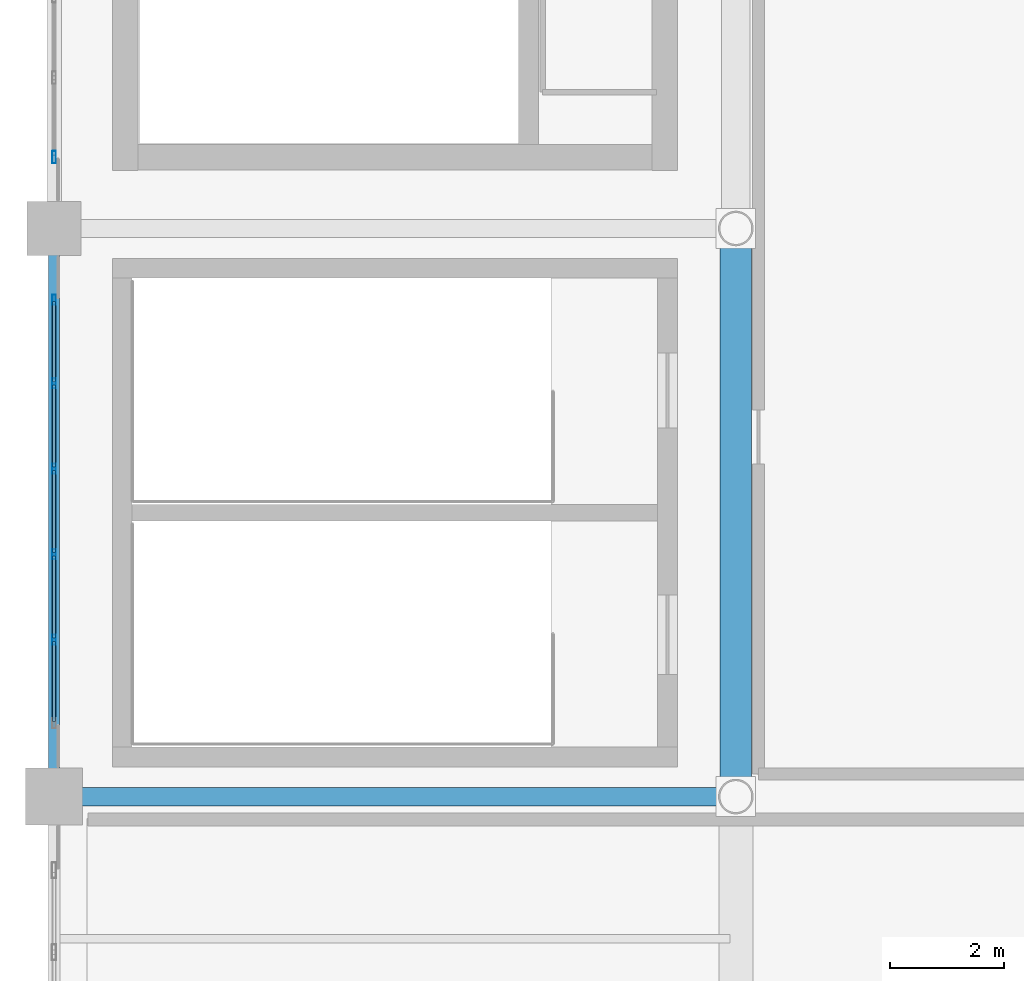
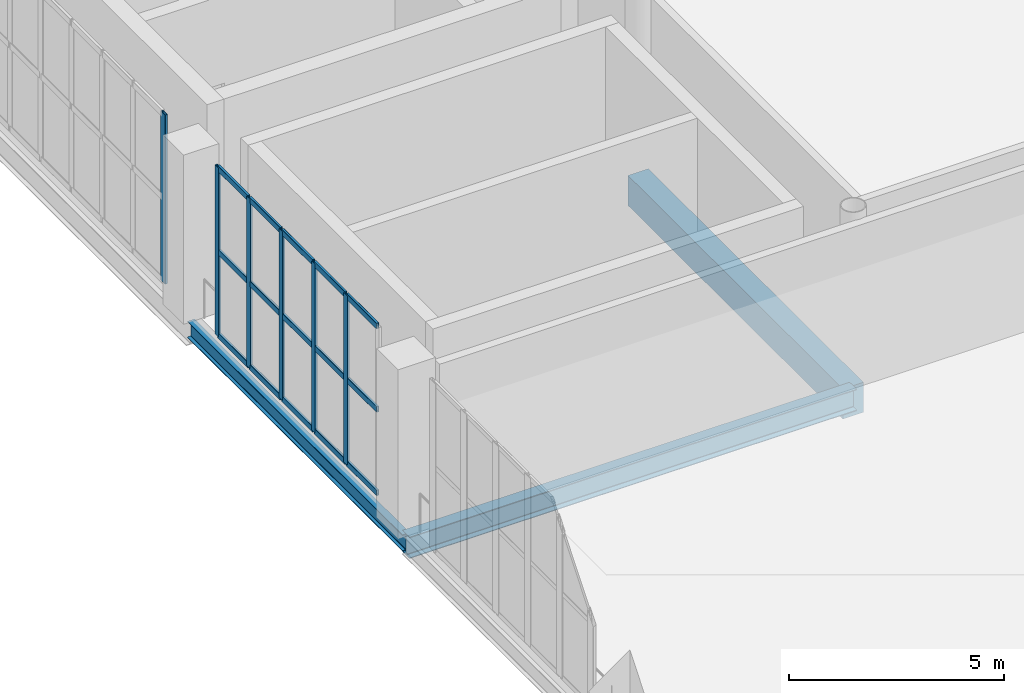
# One storey, part 20 of 49: 21 members, 3 beams, 2 elements without a shape of their own.
"""IFC4 building model written with IfcOpenShell, lengths in metres."""

from ifc_helpers import new_model, si_unit, direction, frame, origin, origin_2d, place, context, subcontext, project, spatial, rectangle, hollow_rectangle, i_section, extrude, material, layer, layer_set, material_profile, profile_set, type_object, element, aggregate, save


model = new_model("IFC4")

# Units and contexts
model_context = context("Model", 3, precision=1e-05, world=origin(), true_north=direction((0.0, 1.0)))
body_context = subcontext(model_context, "Body", "Model", "MODEL_VIEW")
ifc_project = project(units=[si_unit("LENGTHUNIT", "METRE"), si_unit("AREAUNIT", "SQUARE_METRE"), si_unit("VOLUMEUNIT", "CUBIC_METRE"), si_unit("PLANEANGLEUNIT", "RADIAN"), si_unit("MASSUNIT", "GRAM", prefix="KILO")], contexts=[model_context])

# Site, building, storey
site_placement = place(None, origin())
site = spatial("IfcSite", under=ifc_project, at=site_placement, CompositionType="ELEMENT")
building_placement = place(site_placement, origin())
building = spatial("IfcBuilding", under=site, at=building_placement, Name="Brinegate Civic Arena", CompositionType="ELEMENT")
storey_placement = place(building_placement, frame((0.0, 0.0, 24.60009765625)))
storey = spatial("IfcBuildingStorey", under=building, at=storey_placement, Name="L05", CompositionType="ELEMENT", Elevation=24.60009765625)

# Curtain wall, members
ifc_material_1 = material(Name="Marine grade aluminium", Category="aluminium")
ifc_layer = layer(ifc_material_1, 0.199951171875, Name="Marine grade aluminium")
ifc_layer_set = layer_set([ifc_layer], Name="Marine grade aluminium")
curtain_wall_type = type_object("IfcCurtainWallType", Name="CW-BOWL-GLAZED-01", PredefinedType="USERDEFINED", material=ifc_layer_set)
curtain_wall_1_placement = place(storey_placement, origin())
curtain_wall_1 = element("IfcCurtainWall", 1, at=curtain_wall_1_placement, inside=storey, type_object=curtain_wall_type, Name="Curtain Wall CWA-160", ObjectType="GLAZED CURTAIN WALL", PredefinedType="USERDEFINED")
ifc_material_profile_1 = material_profile(ifc_material_1, hollow_rectangle(XDim=0.06494140625, YDim=0.179931640625, WallThickness=0.0048828125, InnerFilletRadius=0.00390625, OuterFilletRadius=0.008056640625, at=origin_2d()), Name="MUL65X180")
ifc_profile_set_1 = profile_set([ifc_material_profile_1], Name="Marine grade aluminium")
member_type_1 = type_object("IfcMemberType", Name="CW-MULLION-65X180", PredefinedType="MULLION", material=ifc_profile_set_1)
member_1_placement = place(storey_placement, frame((48.0, 74.76123046875, 0.0), z_axis=(0.0, 0.0, 1.0), x_axis=(-1.0, 0.0, 0.0)))
member_1 = element("IfcMember", 2, at=member_1_placement, type_object=member_type_1, Name="CWA-160 mullion 2", PredefinedType="MULLION", context=body_context, shape_type="SweptSolid", body=[
    extrude(hollow_rectangle(XDim=0.06494140625, YDim=0.179931640625, WallThickness=0.0048828125, InnerFilletRadius=0.00390625, OuterFilletRadius=0.008056640625, at=origin_2d()), origin(), (0.0, 0.0, 1.0), 4.7998046875),
])
member_2_placement = place(storey_placement, frame((48.0, 76.265380859375, 0.0), z_axis=(0.0, 0.0, 1.0), x_axis=(-1.0, 0.0, 0.0)))
member_2 = element("IfcMember", 3, at=member_2_placement, type_object=member_type_1, Name="CWA-160 mullion 3", PredefinedType="MULLION", context=body_context, shape_type="SweptSolid", body=[
    extrude(hollow_rectangle(XDim=0.06494140625, YDim=0.179931640625, WallThickness=0.0048828125, InnerFilletRadius=0.00390625, OuterFilletRadius=0.008056640625, at=origin_2d()), origin(), (0.0, 0.0, 1.0), 4.7998046875),
])
member_3_placement = place(storey_placement, frame((48.0, 77.76953125, 0.0), z_axis=(0.0, 0.0, 1.0), x_axis=(-1.0, 0.0, 0.0)))
member_3 = element("IfcMember", 4, at=member_3_placement, type_object=member_type_1, Name="CWA-160 mullion 4", PredefinedType="MULLION", context=body_context, shape_type="SweptSolid", body=[
    extrude(hollow_rectangle(XDim=0.06494140625, YDim=0.179931640625, WallThickness=0.0048828125, InnerFilletRadius=0.00390625, OuterFilletRadius=0.008056640625, at=origin_2d()), origin(), (0.0, 0.0, 1.0), 4.7998046875),
])
member_4_placement = place(storey_placement, frame((48.0, 79.273681640625, 0.0), z_axis=(0.0, 0.0, 1.0), x_axis=(-1.0, 0.0, 0.0)))
member_4 = element("IfcMember", 5, at=member_4_placement, type_object=member_type_1, Name="CWA-160 mullion 5", PredefinedType="MULLION", context=body_context, shape_type="SweptSolid", body=[
    extrude(hollow_rectangle(XDim=0.06494140625, YDim=0.179931640625, WallThickness=0.0048828125, InnerFilletRadius=0.00390625, OuterFilletRadius=0.008056640625, at=origin_2d()), origin(), (0.0, 0.0, 1.0), 4.7998046875),
])
member_5_placement = place(storey_placement, frame((48.0, 80.74560546875, 0.0), z_axis=(0.0, 0.0, 1.0), x_axis=(-1.0, 0.0, 0.0)))
member_5 = element("IfcMember", 6, at=member_5_placement, type_object=member_type_1, Name="CWA-160 mullion 6", PredefinedType="MULLION", context=body_context, shape_type="SweptSolid", body=[
    extrude(hollow_rectangle(XDim=0.06494140625, YDim=0.179931640625, WallThickness=0.0048828125, InnerFilletRadius=0.00390625, OuterFilletRadius=0.008056640625, at=origin_2d()), origin(), (0.0, 0.0, 1.0), 4.7998046875),
])

# Curtain wall, member
curtain_wall_2_placement = place(storey_placement, origin())
curtain_wall_2 = element("IfcCurtainWall", 7, at=curtain_wall_2_placement, inside=storey, type_object=curtain_wall_type, Name="Curtain Wall CWA-161", ObjectType="GLAZED CURTAIN WALL", PredefinedType="USERDEFINED")
ifc_material_profile_2 = material_profile(ifc_material_1, hollow_rectangle(XDim=0.06494140625, YDim=0.219970703125, WallThickness=0.006103515625, InnerFilletRadius=0.00390625, OuterFilletRadius=0.008056640625, at=origin_2d()), Name="MUL65X220")
ifc_profile_set_2 = profile_set([ifc_material_profile_2], Name="Marine grade aluminium")
member_type_2 = type_object("IfcMemberType", Name="CW-MULLION-65X220", PredefinedType="MULLION", material=ifc_profile_set_2)
member_6_placement = place(storey_placement, frame((48.0, 83.25439453125, 0.0), z_axis=(0.0, 0.0, 1.0), x_axis=(-1.0, 0.0, 0.0)))
member_6 = element("IfcMember", 8, at=member_6_placement, type_object=member_type_2, Name="CWA-161 mullion 1", PredefinedType="MULLION", context=body_context, shape_type="SweptSolid", body=[
    extrude(hollow_rectangle(XDim=0.06494140625, YDim=0.219970703125, WallThickness=0.006103515625, InnerFilletRadius=0.00390625, OuterFilletRadius=0.008056640625, at=origin_2d()), origin(), (0.0, 0.0, 1.0), 4.7998046875),
])
aggregate(curtain_wall_2, [member_6])

# Member
ifc_material_profile_3 = material_profile(ifc_material_1, hollow_rectangle(XDim=0.06494140625, YDim=0.1650390625, WallThickness=0.0048828125, InnerFilletRadius=0.00390625, OuterFilletRadius=0.008056640625, at=origin_2d()), Name="TRN65X165")
ifc_profile_set_3 = profile_set([ifc_material_profile_3], Name="Marine grade aluminium")
member_type_3 = type_object("IfcMemberType", Name="CW-TRANSOM-65X165", PredefinedType="USERDEFINED", material=ifc_profile_set_3)
member_7_placement = place(storey_placement, frame((48.0, 73.322021484375, 0.032470703125), z_axis=(0.0, 1.0, 0.0), x_axis=(-1.0, 0.0, 0.0)))
member_7 = element("IfcMember", 9, at=member_7_placement, type_object=member_type_3, Name="CWA-160 transom 1.1", ObjectType="TRANSOM", PredefinedType="USERDEFINED", context=body_context, shape_type="SweptSolid", body=[
    extrude(hollow_rectangle(XDim=0.06494140625, YDim=0.1650390625, WallThickness=0.0048828125, InnerFilletRadius=0.00390625, OuterFilletRadius=0.008056640625, at=origin_2d()), origin(), (0.0, 0.0, 1.0), 1.40673828125),
])

member_8_placement = place(storey_placement, frame((48.0, 73.322021484375, 2.39990234375), z_axis=(0.0, 1.0, 0.0), x_axis=(-1.0, 0.0, 0.0)))
member_8 = element("IfcMember", 10, at=member_8_placement, type_object=member_type_3, Name="CWA-160 transom 1.2", ObjectType="TRANSOM", PredefinedType="USERDEFINED", context=body_context, shape_type="SweptSolid", body=[
    extrude(hollow_rectangle(XDim=0.06494140625, YDim=0.1650390625, WallThickness=0.0048828125, InnerFilletRadius=0.00390625, OuterFilletRadius=0.008056640625, at=origin_2d()), origin(), (0.0, 0.0, 1.0), 1.40673828125),
])

member_9_placement = place(storey_placement, frame((48.0, 73.322021484375, 4.767333984375), z_axis=(0.0, 1.0, 0.0), x_axis=(-1.0, 0.0, 0.0)))
member_9 = element("IfcMember", 11, at=member_9_placement, type_object=member_type_3, Name="CWA-160 transom 1.3", ObjectType="TRANSOM", PredefinedType="USERDEFINED", context=body_context, shape_type="SweptSolid", body=[
    extrude(hollow_rectangle(XDim=0.06494140625, YDim=0.1650390625, WallThickness=0.0048828125, InnerFilletRadius=0.00390625, OuterFilletRadius=0.008056640625, at=origin_2d()), origin(), (0.0, 0.0, 1.0), 1.40673828125),
])

member_10_placement = place(storey_placement, frame((48.0, 74.793701171875, 0.032470703125), z_axis=(0.0, 1.0, 0.0), x_axis=(-1.0, 0.0, 0.0)))
member_10 = element("IfcMember", 12, at=member_10_placement, type_object=member_type_3, Name="CWA-160 transom 2.1", ObjectType="TRANSOM", PredefinedType="USERDEFINED", context=body_context, shape_type="SweptSolid", body=[
    extrude(hollow_rectangle(XDim=0.06494140625, YDim=0.1650390625, WallThickness=0.0048828125, InnerFilletRadius=0.00390625, OuterFilletRadius=0.008056640625, at=origin_2d()), origin(), (0.0, 0.0, 1.0), 1.439208984375),
])

member_11_placement = place(storey_placement, frame((48.0, 74.793701171875, 2.39990234375), z_axis=(0.0, 1.0, 0.0), x_axis=(-1.0, 0.0, 0.0)))
member_11 = element("IfcMember", 13, at=member_11_placement, type_object=member_type_3, Name="CWA-160 transom 2.2", ObjectType="TRANSOM", PredefinedType="USERDEFINED", context=body_context, shape_type="SweptSolid", body=[
    extrude(hollow_rectangle(XDim=0.06494140625, YDim=0.1650390625, WallThickness=0.0048828125, InnerFilletRadius=0.00390625, OuterFilletRadius=0.008056640625, at=origin_2d()), origin(), (0.0, 0.0, 1.0), 1.439208984375),
])

member_12_placement = place(storey_placement, frame((48.0, 74.793701171875, 4.767333984375), z_axis=(0.0, 1.0, 0.0), x_axis=(-1.0, 0.0, 0.0)))
member_12 = element("IfcMember", 14, at=member_12_placement, type_object=member_type_3, Name="CWA-160 transom 2.3", ObjectType="TRANSOM", PredefinedType="USERDEFINED", context=body_context, shape_type="SweptSolid", body=[
    extrude(hollow_rectangle(XDim=0.06494140625, YDim=0.1650390625, WallThickness=0.0048828125, InnerFilletRadius=0.00390625, OuterFilletRadius=0.008056640625, at=origin_2d()), origin(), (0.0, 0.0, 1.0), 1.439208984375),
])

member_13_placement = place(storey_placement, frame((48.0, 76.2978515625, 0.032470703125), z_axis=(0.0, 1.0, 0.0), x_axis=(-1.0, 0.0, 0.0)))
member_13 = element("IfcMember", 15, at=member_13_placement, type_object=member_type_3, Name="CWA-160 transom 3.1", ObjectType="TRANSOM", PredefinedType="USERDEFINED", context=body_context, shape_type="SweptSolid", body=[
    extrude(hollow_rectangle(XDim=0.06494140625, YDim=0.1650390625, WallThickness=0.0048828125, InnerFilletRadius=0.00390625, OuterFilletRadius=0.008056640625, at=origin_2d()), origin(), (0.0, 0.0, 1.0), 1.439208984375),
])

member_14_placement = place(storey_placement, frame((48.0, 76.2978515625, 2.39990234375), z_axis=(0.0, 1.0, 0.0), x_axis=(-1.0, 0.0, 0.0)))
member_14 = element("IfcMember", 16, at=member_14_placement, type_object=member_type_3, Name="CWA-160 transom 3.2", ObjectType="TRANSOM", PredefinedType="USERDEFINED", context=body_context, shape_type="SweptSolid", body=[
    extrude(hollow_rectangle(XDim=0.06494140625, YDim=0.1650390625, WallThickness=0.0048828125, InnerFilletRadius=0.00390625, OuterFilletRadius=0.008056640625, at=origin_2d()), origin(), (0.0, 0.0, 1.0), 1.439208984375),
])

member_15_placement = place(storey_placement, frame((48.0, 76.2978515625, 4.767333984375), z_axis=(0.0, 1.0, 0.0), x_axis=(-1.0, 0.0, 0.0)))
member_15 = element("IfcMember", 17, at=member_15_placement, type_object=member_type_3, Name="CWA-160 transom 3.3", ObjectType="TRANSOM", PredefinedType="USERDEFINED", context=body_context, shape_type="SweptSolid", body=[
    extrude(hollow_rectangle(XDim=0.06494140625, YDim=0.1650390625, WallThickness=0.0048828125, InnerFilletRadius=0.00390625, OuterFilletRadius=0.008056640625, at=origin_2d()), origin(), (0.0, 0.0, 1.0), 1.439208984375),
])

member_16_placement = place(storey_placement, frame((48.0, 77.802001953125, 0.032470703125), z_axis=(0.0, 1.0, 0.0), x_axis=(-1.0, 0.0, 0.0)))
member_16 = element("IfcMember", 18, at=member_16_placement, type_object=member_type_3, Name="CWA-160 transom 4.1", ObjectType="TRANSOM", PredefinedType="USERDEFINED", context=body_context, shape_type="SweptSolid", body=[
    extrude(hollow_rectangle(XDim=0.06494140625, YDim=0.1650390625, WallThickness=0.0048828125, InnerFilletRadius=0.00390625, OuterFilletRadius=0.008056640625, at=origin_2d()), origin(), (0.0, 0.0, 1.0), 1.439208984375),
])

member_17_placement = place(storey_placement, frame((48.0, 77.802001953125, 2.39990234375), z_axis=(0.0, 1.0, 0.0), x_axis=(-1.0, 0.0, 0.0)))
member_17 = element("IfcMember", 19, at=member_17_placement, type_object=member_type_3, Name="CWA-160 transom 4.2", ObjectType="TRANSOM", PredefinedType="USERDEFINED", context=body_context, shape_type="SweptSolid", body=[
    extrude(hollow_rectangle(XDim=0.06494140625, YDim=0.1650390625, WallThickness=0.0048828125, InnerFilletRadius=0.00390625, OuterFilletRadius=0.008056640625, at=origin_2d()), origin(), (0.0, 0.0, 1.0), 1.439208984375),
])

member_18_placement = place(storey_placement, frame((48.0, 77.802001953125, 4.767333984375), z_axis=(0.0, 1.0, 0.0), x_axis=(-1.0, 0.0, 0.0)))
member_18 = element("IfcMember", 20, at=member_18_placement, type_object=member_type_3, Name="CWA-160 transom 4.3", ObjectType="TRANSOM", PredefinedType="USERDEFINED", context=body_context, shape_type="SweptSolid", body=[
    extrude(hollow_rectangle(XDim=0.06494140625, YDim=0.1650390625, WallThickness=0.0048828125, InnerFilletRadius=0.00390625, OuterFilletRadius=0.008056640625, at=origin_2d()), origin(), (0.0, 0.0, 1.0), 1.439208984375),
])

member_19_placement = place(storey_placement, frame((48.0, 79.306396484375, 0.032470703125), z_axis=(0.0, 1.0, 0.0), x_axis=(-1.0, 0.0, 0.0)))
member_19 = element("IfcMember", 21, at=member_19_placement, type_object=member_type_3, Name="CWA-160 transom 5.1", ObjectType="TRANSOM", PredefinedType="USERDEFINED", context=body_context, shape_type="SweptSolid", body=[
    extrude(hollow_rectangle(XDim=0.06494140625, YDim=0.1650390625, WallThickness=0.0048828125, InnerFilletRadius=0.00390625, OuterFilletRadius=0.008056640625, at=origin_2d()), origin(), (0.0, 0.0, 1.0), 1.406494140625),
])

member_20_placement = place(storey_placement, frame((48.0, 79.306396484375, 2.39990234375), z_axis=(0.0, 1.0, 0.0), x_axis=(-1.0, 0.0, 0.0)))
member_20 = element("IfcMember", 22, at=member_20_placement, type_object=member_type_3, Name="CWA-160 transom 5.2", ObjectType="TRANSOM", PredefinedType="USERDEFINED", context=body_context, shape_type="SweptSolid", body=[
    extrude(hollow_rectangle(XDim=0.06494140625, YDim=0.1650390625, WallThickness=0.0048828125, InnerFilletRadius=0.00390625, OuterFilletRadius=0.008056640625, at=origin_2d()), origin(), (0.0, 0.0, 1.0), 1.406494140625),
])

member_21_placement = place(storey_placement, frame((48.0, 79.306396484375, 4.767333984375), z_axis=(0.0, 1.0, 0.0), x_axis=(-1.0, 0.0, 0.0)))
member_21 = element("IfcMember", 23, at=member_21_placement, type_object=member_type_3, Name="CWA-160 transom 5.3", ObjectType="TRANSOM", PredefinedType="USERDEFINED", context=body_context, shape_type="SweptSolid", body=[
    extrude(hollow_rectangle(XDim=0.06494140625, YDim=0.1650390625, WallThickness=0.0048828125, InnerFilletRadius=0.00390625, OuterFilletRadius=0.008056640625, at=origin_2d()), origin(), (0.0, 0.0, 1.0), 1.406494140625),
])

aggregate(curtain_wall_1, [member_1, member_2, member_3, member_4, member_5, member_7, member_8, member_9, member_10, member_11, member_12, member_13, member_14, member_15, member_16, member_17, member_18, member_19, member_20, member_21])

# Beams
ifc_material_2 = material(Name="Steel S355", Category="steel")
ifc_material_profile_4 = material_profile(ifc_material_2, i_section(OverallWidth=0.323974609375, OverallDepth=0.611083984375, WebThickness=0.012939453125, FlangeThickness=0.01904296875, FilletRadius=0.01611328125, at=origin_2d()), Name="W610X155")
ifc_profile_set_4 = profile_set([ifc_material_profile_4], Name="Steel S355")
beam_type_1 = type_object("IfcBeamType", Name="GIRDER-W610X155", PredefinedType="BEAM", material=ifc_profile_set_4)
beam_1_placement = place(storey_placement, frame((48.0, 72.0, -0.635009765625), z_axis=(1.0, 0.0, 0.0), x_axis=(0.0, 1.0, 0.0)))
element("IfcBeam", 24, at=beam_1_placement, inside=storey, type_object=beam_type_1, Name="Floor Girder BM-L05-GX-04-07", PredefinedType="BEAM", context=body_context, shape_type="SweptSolid", body=[
    extrude(i_section(OverallWidth=0.323974609375, OverallDepth=0.611083984375, WebThickness=0.012939453125, FlangeThickness=0.01904296875, FilletRadius=0.01611328125, at=origin_2d()), origin(), (0.0, 0.0, 1.0), 12.0),
])
ifc_material_3 = material(Name="Concrete C50/60", Category="concrete")
ifc_material_profile_5 = material_profile(ifc_material_3, rectangle(XDim=0.550048828125, YDim=0.85009765625, at=origin_2d()), Name="RCB550X850")
ifc_profile_set_5 = profile_set([ifc_material_profile_5], Name="Concrete C50/60")
beam_type_2 = type_object("IfcBeamType", Name="RCG-550X850", PredefinedType="BEAM", material=ifc_profile_set_5)
beam_2_placement = place(storey_placement, frame((60.0, 72.0, -0.755126953125), z_axis=(0.0, 1.0, 0.0), x_axis=(-1.0, 0.0, 0.0)))
element("IfcBeam", 25, at=beam_2_placement, inside=storey, type_object=beam_type_2, Name="Floor Girder BM-L05-GY-05-07", PredefinedType="BEAM", context=body_context, shape_type="SweptSolid", body=[
    extrude(rectangle(XDim=0.550048828125, YDim=0.85009765625, at=origin_2d()), origin(), (0.0, 0.0, 1.0), 10.0),
])
ifc_material_profile_6 = material_profile(ifc_material_2, i_section(OverallWidth=0.193115234375, OverallDepth=0.466064453125, WebThickness=0.010986328125, FlangeThickness=0.01904296875, FilletRadius=0.014892578125, at=origin_2d()), Name="W460X97")
ifc_profile_set_6 = profile_set([ifc_material_profile_6], Name="Steel S355")
beam_type_3 = type_object("IfcBeamType", Name="SPANDREL-W460X97", PredefinedType="SPANDREL", material=ifc_profile_set_6)
beam_3_placement = place(storey_placement, frame((48.0, 72.0, -0.56298828125), z_axis=(0.0, 1.0, 0.0), x_axis=(-1.0, 0.0, 0.0)))
element("IfcBeam", 26, at=beam_3_placement, inside=storey, type_object=beam_type_3, Name="Floor Girder BM-L05-GY-04-07", PredefinedType="SPANDREL", context=body_context, shape_type="SweptSolid", body=[
    extrude(i_section(OverallWidth=0.193115234375, OverallDepth=0.466064453125, WebThickness=0.010986328125, FlangeThickness=0.01904296875, FilletRadius=0.014892578125, at=origin_2d()), origin(), (0.0, 0.0, 1.0), 10.0),
])

save(model, "model.ifc")
